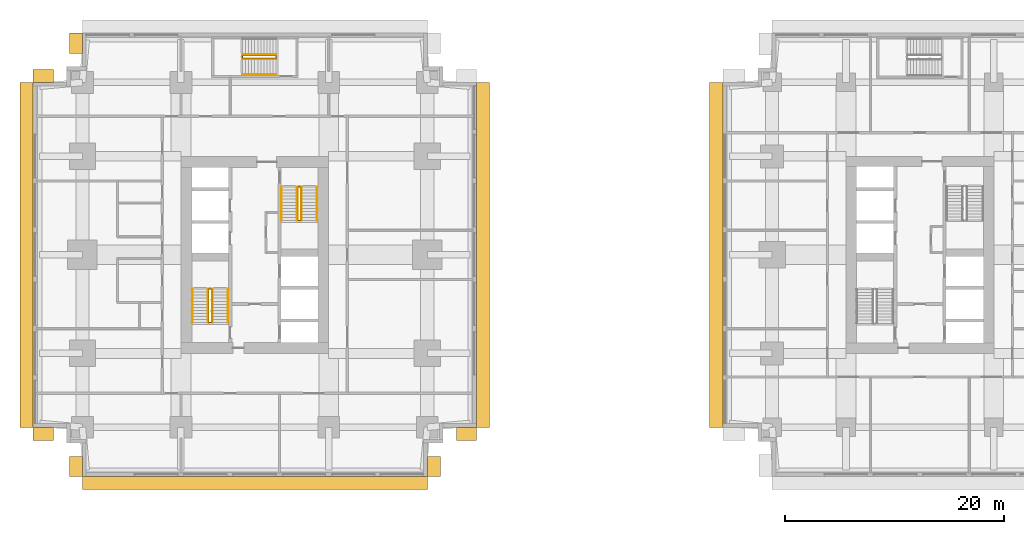
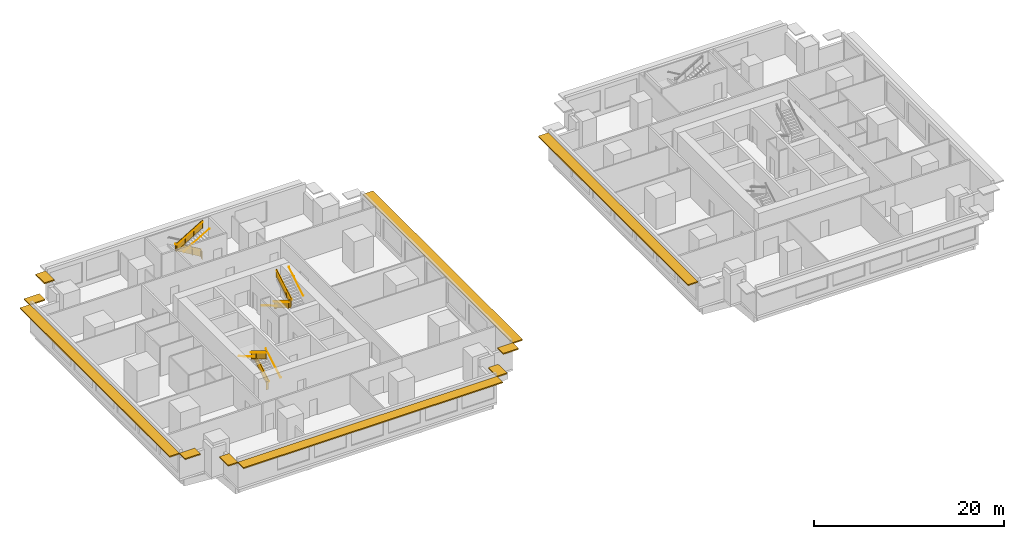
# One storey, part 9 of 11: 14 railings, 10 shading devices.
"""IFC4 building model written with IfcOpenShell, lengths in metres."""

from ifc_helpers import new_model, si_unit, direction, frame, origin, origin_2d, place, context, subcontext, project, spatial, polyline, rectangle, circle, outline, extrude, material, layer, layer_set, type_object, element, save


model = new_model("IFC4")

# Units and contexts
model_context = context("Model", 3, precision=1e-05, world=origin(), true_north=direction((0.0, 1.0)))
body_context = subcontext(model_context, "Body", "Model", "MODEL_VIEW")
ifc_project = project(units=[si_unit("LENGTHUNIT", "METRE"), si_unit("AREAUNIT", "SQUARE_METRE"), si_unit("VOLUMEUNIT", "CUBIC_METRE"), si_unit("PLANEANGLEUNIT", "RADIAN"), si_unit("MASSUNIT", "GRAM", prefix="KILO")], contexts=[model_context])

# Site, building, storey
site_placement = place(None, origin())
site = spatial("IfcSite", under=ifc_project, at=site_placement, CompositionType="ELEMENT")
building_placement = place(site_placement, origin())
building = spatial("IfcBuilding", under=site, at=building_placement, Name="Namib Vertical Campus", CompositionType="ELEMENT")
storey_placement = place(building_placement, frame((0.0, 0.0, 73.0)))
storey = spatial("IfcBuildingStorey", under=building, at=storey_placement, Name="L17", CompositionType="ELEMENT", Elevation=73.0)

# Railings
ifc_material_1 = material(Name="Steel handrail", Category="steel")
railing_type_1 = type_object("IfcRailingType", Name="Handrail 900", PredefinedType="HANDRAIL", material=ifc_material_1)
railing_1_placement = place(storey_placement, frame((17.800048828125, 14.050048828125, 0.166748046875)))
element("IfcRailing", 1, at=railing_1_placement, inside=storey, type_object=railing_type_1, Name="Handrail HR1 A-S1 L17 1", PredefinedType="HANDRAIL", context=body_context, shape_type="SweptSolid", body=[
    extrude(circle(Radius=0.02392578125, at=origin_2d()), frame((0.0, 0.0, 0.8759765625), z_axis=(0.0, 0.859290745958, 0.51148745235), x_axis=(-1.0, 0.0, 0.0)), (0.0, 0.0, 1.0), 3.584228515625),
    extrude(circle(Radius=0.008056640625, at=origin_2d()), frame((0.0, 0.0, 0.8759765625), z_axis=(1.0, 0.0, 0.0), x_axis=(0.0, 0.0, 1.0)), (0.0, 0.0, 1.0), 0.050048828125),
    extrude(circle(Radius=0.008056640625, at=origin_2d()), frame((0.0, 1.026611328125, 1.48681640625), z_axis=(1.0, 0.0, 0.0), x_axis=(0.0, 0.0, 1.0)), (0.0, 0.0, 1.0), 0.050048828125),
    extrude(circle(Radius=0.008056640625, at=origin_2d()), frame((0.0, 2.05322265625, 2.09814453125), z_axis=(1.0, 0.0, 0.0), x_axis=(0.0, 0.0, 1.0)), (0.0, 0.0, 1.0), 0.050048828125),
    extrude(circle(Radius=0.008056640625, at=origin_2d()), frame((0.0, 3.079833984375, 2.708984375), z_axis=(1.0, 0.0, 0.0), x_axis=(0.0, 0.0, 1.0)), (0.0, 0.0, 1.0), 0.050048828125),
])
railing_2_placement = place(storey_placement, frame((14.550048828125, 17.1298828125, 2.166748046875)))
element("IfcRailing", 2, at=railing_2_placement, inside=storey, type_object=railing_type_1, Name="Handrail HR1 A-S1 L17 2", PredefinedType="HANDRAIL", context=body_context, shape_type="SweptSolid", body=[
    extrude(circle(Radius=0.02392578125, at=origin_2d()), frame((0.0, 0.0, 0.8759765625), z_axis=(0.0, -0.859290745958, 0.51148745235), x_axis=(1.0, 0.0, 0.0)), (0.0, 0.0, 1.0), 3.584228515625),
    extrude(circle(Radius=0.008056640625, at=origin_2d()), frame((0.0, 0.0, 0.8759765625), z_axis=(-1.0, 0.0, 0.0), x_axis=(0.0, 0.0, 1.0)), (0.0, 0.0, 1.0), 0.050048828125),
    extrude(circle(Radius=0.008056640625, at=origin_2d()), frame((0.0, -1.026611328125, 1.48681640625), z_axis=(-1.0, 0.0, 0.0), x_axis=(0.0, 0.0, 1.0)), (0.0, 0.0, 1.0), 0.050048828125),
    extrude(circle(Radius=0.008056640625, at=origin_2d()), frame((0.0, -2.05322265625, 2.09814453125), z_axis=(-1.0, 0.0, 0.0), x_axis=(0.0, 0.0, 1.0)), (0.0, 0.0, 1.0), 0.050048828125),
    extrude(circle(Radius=0.008056640625, at=origin_2d()), frame((0.0, -3.079833984375, 2.708984375), z_axis=(-1.0, 0.0, 0.0), x_axis=(0.0, 0.0, 1.0)), (0.0, 0.0, 1.0), 0.050048828125),
])
railing_3_placement = place(storey_placement, frame((16.375, 14.050048828125, 0.166748046875)))
element("IfcRailing", 3, at=railing_3_placement, inside=storey, type_object=railing_type_1, Name="Handrail HR1 A-S1 L17 1 at the well", PredefinedType="HANDRAIL", context=body_context, shape_type="SweptSolid", body=[
    extrude(circle(Radius=0.02392578125, at=origin_2d()), frame((0.0, 0.0, 0.8759765625), z_axis=(0.0, 0.859290745958, 0.51148745235), x_axis=(-1.0, 0.0, 0.0)), (0.0, 0.0, 1.0), 3.584228515625),
    extrude(circle(Radius=0.008056640625, at=origin_2d()), frame((0.0, 0.0, 0.8759765625), z_axis=(-1.0, 0.0, 0.0), x_axis=(0.0, 0.0, 1.0)), (0.0, 0.0, 1.0), 0.0400390625),
    extrude(circle(Radius=0.008056640625, at=origin_2d()), frame((0.0, 1.026611328125, 1.48681640625), z_axis=(-1.0, 0.0, 0.0), x_axis=(0.0, 0.0, 1.0)), (0.0, 0.0, 1.0), 0.0400390625),
    extrude(circle(Radius=0.008056640625, at=origin_2d()), frame((0.0, 2.05322265625, 2.09814453125), z_axis=(-1.0, 0.0, 0.0), x_axis=(0.0, 0.0, 1.0)), (0.0, 0.0, 1.0), 0.0400390625),
    extrude(circle(Radius=0.008056640625, at=origin_2d()), frame((0.0, 3.079833984375, 2.708984375), z_axis=(-1.0, 0.0, 0.0), x_axis=(0.0, 0.0, 1.0)), (0.0, 0.0, 1.0), 0.0400390625),
])
railing_4_placement = place(storey_placement, frame((15.97509765625, 17.1298828125, 2.166748046875)))
element("IfcRailing", 4, at=railing_4_placement, inside=storey, type_object=railing_type_1, Name="Handrail HR1 A-S1 L17 2 at the well", PredefinedType="HANDRAIL", context=body_context, shape_type="SweptSolid", body=[
    extrude(circle(Radius=0.02392578125, at=origin_2d()), frame((0.0, 0.0, 0.8759765625), z_axis=(0.0, -0.859290745958, 0.51148745235), x_axis=(1.0, 0.0, 0.0)), (0.0, 0.0, 1.0), 3.584228515625),
    extrude(circle(Radius=0.008056640625, at=origin_2d()), frame((0.0, 0.0, 0.8759765625), z_axis=(1.0, 0.0, 0.0), x_axis=(0.0, 0.0, 1.0)), (0.0, 0.0, 1.0), 0.0400390625),
    extrude(circle(Radius=0.008056640625, at=origin_2d()), frame((0.0, -1.026611328125, 1.48681640625), z_axis=(1.0, 0.0, 0.0), x_axis=(0.0, 0.0, 1.0)), (0.0, 0.0, 1.0), 0.0400390625),
    extrude(circle(Radius=0.008056640625, at=origin_2d()), frame((0.0, -2.05322265625, 2.09814453125), z_axis=(1.0, 0.0, 0.0), x_axis=(0.0, 0.0, 1.0)), (0.0, 0.0, 1.0), 0.0400390625),
    extrude(circle(Radius=0.008056640625, at=origin_2d()), frame((0.0, -3.079833984375, 2.708984375), z_axis=(1.0, 0.0, 0.0), x_axis=(0.0, 0.0, 1.0)), (0.0, 0.0, 1.0), 0.0400390625),
])
railing_5_placement = place(storey_placement, frame((22.699951171875, 26.449951171875, 0.166748046875)))
element("IfcRailing", 5, at=railing_5_placement, inside=storey, type_object=railing_type_1, Name="Handrail HR1 A-S2 L17 1", PredefinedType="HANDRAIL", context=body_context, shape_type="SweptSolid", body=[
    extrude(circle(Radius=0.02392578125, at=origin_2d()), frame((0.0, 0.0, 0.8759765625), z_axis=(0.0, -0.859290745958, 0.51148745235), x_axis=(1.0, 0.0, 0.0)), (0.0, 0.0, 1.0), 3.584228515625),
    extrude(circle(Radius=0.008056640625, at=origin_2d()), frame((0.0, 0.0, 0.8759765625), z_axis=(-1.0, 0.0, 0.0), x_axis=(0.0, 0.0, 1.0)), (0.0, 0.0, 1.0), 0.050048828125),
    extrude(circle(Radius=0.008056640625, at=origin_2d()), frame((0.0, -1.026611328125, 1.48681640625), z_axis=(-1.0, 0.0, 0.0), x_axis=(0.0, 0.0, 1.0)), (0.0, 0.0, 1.0), 0.050048828125),
    extrude(circle(Radius=0.008056640625, at=origin_2d()), frame((0.0, -2.05322265625, 2.09814453125), z_axis=(-1.0, 0.0, 0.0), x_axis=(0.0, 0.0, 1.0)), (0.0, 0.0, 1.0), 0.050048828125),
    extrude(circle(Radius=0.008056640625, at=origin_2d()), frame((0.0, -3.079833984375, 2.708984375), z_axis=(-1.0, 0.0, 0.0), x_axis=(0.0, 0.0, 1.0)), (0.0, 0.0, 1.0), 0.050048828125),
])
railing_6_placement = place(storey_placement, frame((25.949951171875, 23.3701171875, 2.166748046875)))
element("IfcRailing", 6, at=railing_6_placement, inside=storey, type_object=railing_type_1, Name="Handrail HR1 A-S2 L17 2", PredefinedType="HANDRAIL", context=body_context, shape_type="SweptSolid", body=[
    extrude(circle(Radius=0.02392578125, at=origin_2d()), frame((0.0, 0.0, 0.8759765625), z_axis=(0.0, 0.859290745958, 0.51148745235), x_axis=(-1.0, 0.0, 0.0)), (0.0, 0.0, 1.0), 3.584228515625),
    extrude(circle(Radius=0.008056640625, at=origin_2d()), frame((0.0, 0.0, 0.8759765625), z_axis=(1.0, 0.0, 0.0), x_axis=(0.0, 0.0, 1.0)), (0.0, 0.0, 1.0), 0.050048828125),
    extrude(circle(Radius=0.008056640625, at=origin_2d()), frame((0.0, 1.026611328125, 1.48681640625), z_axis=(1.0, 0.0, 0.0), x_axis=(0.0, 0.0, 1.0)), (0.0, 0.0, 1.0), 0.050048828125),
    extrude(circle(Radius=0.008056640625, at=origin_2d()), frame((0.0, 2.05322265625, 2.09814453125), z_axis=(1.0, 0.0, 0.0), x_axis=(0.0, 0.0, 1.0)), (0.0, 0.0, 1.0), 0.050048828125),
    extrude(circle(Radius=0.008056640625, at=origin_2d()), frame((0.0, 3.079833984375, 2.708984375), z_axis=(1.0, 0.0, 0.0), x_axis=(0.0, 0.0, 1.0)), (0.0, 0.0, 1.0), 0.050048828125),
])
railing_7_placement = place(storey_placement, frame((24.125, 26.449951171875, 0.166748046875)))
element("IfcRailing", 7, at=railing_7_placement, inside=storey, type_object=railing_type_1, Name="Handrail HR1 A-S2 L17 1 at the well", PredefinedType="HANDRAIL", context=body_context, shape_type="SweptSolid", body=[
    extrude(circle(Radius=0.02392578125, at=origin_2d()), frame((0.0, 0.0, 0.8759765625), z_axis=(0.0, -0.859290745958, 0.51148745235), x_axis=(1.0, 0.0, 0.0)), (0.0, 0.0, 1.0), 3.584228515625),
    extrude(circle(Radius=0.008056640625, at=origin_2d()), frame((0.0, 0.0, 0.8759765625), z_axis=(1.0, 0.0, 0.0), x_axis=(0.0, 0.0, 1.0)), (0.0, 0.0, 1.0), 0.0400390625),
    extrude(circle(Radius=0.008056640625, at=origin_2d()), frame((0.0, -1.026611328125, 1.48681640625), z_axis=(1.0, 0.0, 0.0), x_axis=(0.0, 0.0, 1.0)), (0.0, 0.0, 1.0), 0.0400390625),
    extrude(circle(Radius=0.008056640625, at=origin_2d()), frame((0.0, -2.05322265625, 2.09814453125), z_axis=(1.0, 0.0, 0.0), x_axis=(0.0, 0.0, 1.0)), (0.0, 0.0, 1.0), 0.0400390625),
    extrude(circle(Radius=0.008056640625, at=origin_2d()), frame((0.0, -3.079833984375, 2.708984375), z_axis=(1.0, 0.0, 0.0), x_axis=(0.0, 0.0, 1.0)), (0.0, 0.0, 1.0), 0.0400390625),
])
railing_8_placement = place(storey_placement, frame((24.52490234375, 23.3701171875, 2.166748046875)))
element("IfcRailing", 8, at=railing_8_placement, inside=storey, type_object=railing_type_1, Name="Handrail HR1 A-S2 L17 2 at the well", PredefinedType="HANDRAIL", context=body_context, shape_type="SweptSolid", body=[
    extrude(circle(Radius=0.02392578125, at=origin_2d()), frame((0.0, 0.0, 0.8759765625), z_axis=(0.0, 0.859290745958, 0.51148745235), x_axis=(-1.0, 0.0, 0.0)), (0.0, 0.0, 1.0), 3.584228515625),
    extrude(circle(Radius=0.008056640625, at=origin_2d()), frame((0.0, 0.0, 0.8759765625), z_axis=(-1.0, 0.0, 0.0), x_axis=(0.0, 0.0, 1.0)), (0.0, 0.0, 1.0), 0.0400390625),
    extrude(circle(Radius=0.008056640625, at=origin_2d()), frame((0.0, 1.026611328125, 1.48681640625), z_axis=(-1.0, 0.0, 0.0), x_axis=(0.0, 0.0, 1.0)), (0.0, 0.0, 1.0), 0.0400390625),
    extrude(circle(Radius=0.008056640625, at=origin_2d()), frame((0.0, 2.05322265625, 2.09814453125), z_axis=(-1.0, 0.0, 0.0), x_axis=(0.0, 0.0, 1.0)), (0.0, 0.0, 1.0), 0.0400390625),
    extrude(circle(Radius=0.008056640625, at=origin_2d()), frame((0.0, 3.079833984375, 2.708984375), z_axis=(-1.0, 0.0, 0.0), x_axis=(0.0, 0.0, 1.0)), (0.0, 0.0, 1.0), 0.0400390625),
])
railing_9_placement = place(storey_placement, frame((19.1201171875, 36.699951171875, 2.166748046875)))
element("IfcRailing", 9, at=railing_9_placement, inside=storey, type_object=railing_type_1, Name="Handrail HR1 A-S3 L17 2", PredefinedType="HANDRAIL", context=body_context, shape_type="SweptSolid", body=[
    extrude(circle(Radius=0.02392578125, at=origin_2d()), frame((0.0, 0.0, 0.8759765625), z_axis=(0.859290745958, 0.0, 0.51148745235), x_axis=(0.0, 1.0, 0.0)), (0.0, 0.0, 1.0), 3.584228515625),
    extrude(circle(Radius=0.008056640625, at=origin_2d()), frame((0.0, 0.0, 0.8759765625), z_axis=(0.0, -1.0, 0.0), x_axis=(0.0, 0.0, 1.0)), (0.0, 0.0, 1.0), 0.050048828125),
    extrude(circle(Radius=0.008056640625, at=origin_2d()), frame((1.026611328125, 0.0, 1.48681640625), z_axis=(0.0, -1.0, 0.0), x_axis=(0.0, 0.0, 1.0)), (0.0, 0.0, 1.0), 0.050048828125),
    extrude(circle(Radius=0.008056640625, at=origin_2d()), frame((2.05322265625, 0.0, 2.09814453125), z_axis=(0.0, -1.0, 0.0), x_axis=(0.0, 0.0, 1.0)), (0.0, 0.0, 1.0), 0.050048828125),
    extrude(circle(Radius=0.008056640625, at=origin_2d()), frame((3.079833984375, 0.0, 2.708984375), z_axis=(0.0, -1.0, 0.0), x_axis=(0.0, 0.0, 1.0)), (0.0, 0.0, 1.0), 0.050048828125),
])
railing_10_placement = place(storey_placement, frame((22.199951171875, 38.52490234375, 0.166748046875)))
element("IfcRailing", 10, at=railing_10_placement, inside=storey, type_object=railing_type_1, Name="Handrail HR1 A-S3 L17 1 at the well", PredefinedType="HANDRAIL", context=body_context, shape_type="SweptSolid", body=[
    extrude(circle(Radius=0.02392578125, at=origin_2d()), frame((0.0, 0.0, 0.8759765625), z_axis=(-0.859290745958, 0.0, 0.51148745235), x_axis=(0.0, -1.0, 0.0)), (0.0, 0.0, 1.0), 3.584228515625),
    extrude(circle(Radius=0.008056640625, at=origin_2d()), frame((0.0, 0.0, 0.8759765625), z_axis=(0.0, -1.0, 0.0), x_axis=(0.0, 0.0, 1.0)), (0.0, 0.0, 1.0), 0.0400390625),
    extrude(circle(Radius=0.008056640625, at=origin_2d()), frame((-1.026611328125, 0.0, 1.48681640625), z_axis=(0.0, -1.0, 0.0), x_axis=(0.0, 0.0, 1.0)), (0.0, 0.0, 1.0), 0.0400390625),
    extrude(circle(Radius=0.008056640625, at=origin_2d()), frame((-2.05322265625, 0.0, 2.09814453125), z_axis=(0.0, -1.0, 0.0), x_axis=(0.0, 0.0, 1.0)), (0.0, 0.0, 1.0), 0.0400390625),
    extrude(circle(Radius=0.008056640625, at=origin_2d()), frame((-3.079833984375, 0.0, 2.708984375), z_axis=(0.0, -1.0, 0.0), x_axis=(0.0, 0.0, 1.0)), (0.0, 0.0, 1.0), 0.0400390625),
])
railing_11_placement = place(storey_placement, frame((19.1201171875, 38.125, 2.166748046875)))
element("IfcRailing", 11, at=railing_11_placement, inside=storey, type_object=railing_type_1, Name="Handrail HR1 A-S3 L17 2 at the well", PredefinedType="HANDRAIL", context=body_context, shape_type="SweptSolid", body=[
    extrude(circle(Radius=0.02392578125, at=origin_2d()), frame((0.0, 0.0, 0.8759765625), z_axis=(0.859290745958, 0.0, 0.51148745235), x_axis=(0.0, 1.0, 0.0)), (0.0, 0.0, 1.0), 3.584228515625),
    extrude(circle(Radius=0.008056640625, at=origin_2d()), frame((0.0, 0.0, 0.8759765625), z_axis=(0.0, 1.0, 0.0), x_axis=(0.0, 0.0, 1.0)), (0.0, 0.0, 1.0), 0.0400390625),
    extrude(circle(Radius=0.008056640625, at=origin_2d()), frame((1.026611328125, 0.0, 1.48681640625), z_axis=(0.0, 1.0, 0.0), x_axis=(0.0, 0.0, 1.0)), (0.0, 0.0, 1.0), 0.0400390625),
    extrude(circle(Radius=0.008056640625, at=origin_2d()), frame((2.05322265625, 0.0, 2.09814453125), z_axis=(0.0, 1.0, 0.0), x_axis=(0.0, 0.0, 1.0)), (0.0, 0.0, 1.0), 0.0400390625),
    extrude(circle(Radius=0.008056640625, at=origin_2d()), frame((3.079833984375, 0.0, 2.708984375), z_axis=(0.0, 1.0, 0.0), x_axis=(0.0, 0.0, 1.0)), (0.0, 0.0, 1.0), 0.0400390625),
])
ifc_material_2 = material(Name="Steel balustrade", Category="steel")
railing_type_2 = type_object("IfcRailingType", Name="Stair guard 1100", PredefinedType="GUARDRAIL", material=ifc_material_2)
railing_12_placement = place(storey_placement, frame((16.02490234375, 14.050048828125, 0.0)))
element("IfcRailing", 12, at=railing_12_placement, inside=storey, type_object=railing_type_2, Name="Stair guard GR1 A-S1 L17", PredefinedType="GUARDRAIL", context=body_context, shape_type="SweptSolid", body=[
    extrude(circle(Radius=0.02392578125, at=origin_2d()), frame((0.0, 0.0, 1.076171875), z_axis=(1.0, 0.0, 0.0), x_axis=(0.0, 1.0, 0.0)), (0.0, 0.0, 1.0), 0.300048828125),
    extrude(outline(polyline([(0.02099609375, 0.050048828125), (0.279052734375, 0.050048828125), (0.279052734375, 1.052001953125), (0.02099609375, 1.052001953125), (0.02099609375, 0.050048828125)])), frame((0.0, 0.010009765625, 0.0), z_axis=(0.0, -1.0, 0.0), x_axis=(1.0, 0.0, 0.0)), (0.0, 0.0, 1.0), 0.02001953125),
    extrude(circle(Radius=0.02392578125, at=origin_2d()), frame((0.300048828125, 0.0, 1.076171875), z_axis=(0.0, 0.0, 1.0), x_axis=(1.0, 0.0, 0.0)), (0.0, 0.0, 1.0), 0.166748046875),
    extrude(circle(Radius=0.02392578125, at=origin_2d()), frame((0.300048828125, 0.0, 1.24267578125), z_axis=(0.0, 0.859290745958, 0.51148745235), x_axis=(-1.0, 0.0, 0.0)), (0.0, 0.0, 1.0), 3.584228515625),
    extrude(outline(polyline([(0.02099609375, 0.0625), (3.058837890625, 1.870849609375), (3.058837890625, 2.872802734375), (0.02099609375, 1.064453125), (0.02099609375, 0.0625)])), frame((0.2900390625, 0.0, 0.166748046875), z_axis=(1.0, 0.0, 0.0), x_axis=(0.0, 1.0, 0.0)), (0.0, 0.0, 1.0), 0.02001953125),
    extrude(circle(Radius=0.02392578125, at=origin_2d()), frame((0.300048828125, 3.079833984375, 3.076171875), z_axis=(-1.0, 0.0, 0.0), x_axis=(0.0, -1.0, 0.0)), (0.0, 0.0, 1.0), 0.300048828125),
    extrude(outline(polyline([(0.02099609375, 0.050048828125), (0.279052734375, 0.050048828125), (0.279052734375, 1.052001953125), (0.02099609375, 1.052001953125), (0.02099609375, 0.050048828125)])), frame((0.300048828125, 3.06982421875, 2.0), z_axis=(0.0, 1.0, 0.0), x_axis=(-1.0, 0.0, 0.0)), (0.0, 0.0, 1.0), 0.02001953125),
    extrude(circle(Radius=0.02392578125, at=origin_2d()), frame((0.0, 3.079833984375, 3.076171875), z_axis=(0.0, 0.0, 1.0), x_axis=(1.0, 0.0, 0.0)), (0.0, 0.0, 1.0), 0.166748046875),
    extrude(circle(Radius=0.02392578125, at=origin_2d()), frame((0.0, 3.079833984375, 3.24267578125), z_axis=(0.0, -0.859290745958, 0.51148745235), x_axis=(1.0, 0.0, 0.0)), (0.0, 0.0, 1.0), 3.584228515625),
    extrude(outline(polyline([(0.02099609375, 0.0625), (3.058837890625, 1.870849609375), (3.058837890625, 2.872802734375), (0.02099609375, 1.064453125), (0.02099609375, 0.0625)])), frame((0.010009765625, 3.079833984375, 2.166748046875), z_axis=(-1.0, 0.0, 0.0), x_axis=(0.0, -1.0, 0.0)), (0.0, 0.0, 1.0), 0.02001953125),
    extrude(circle(Radius=0.02392578125, at=origin_2d()), frame((0.0, 0.0, 5.076171875), z_axis=(0.0, -1.0, 0.0), x_axis=(1.0, 0.0, 0.0)), (0.0, 0.0, 1.0), 0.050048828125),
    extrude(outline(polyline([(0.02099609375, 0.050048828125), (0.029052734375, 0.050048828125), (0.029052734375, 1.052001953125), (0.02099609375, 1.052001953125), (0.02099609375, 0.050048828125)])), frame((0.010009765625, 0.0, 4.0), z_axis=(-1.0, 0.0, 0.0), x_axis=(0.0, -1.0, 0.0)), (0.0, 0.0, 1.0), 0.02001953125),
    extrude(circle(Radius=0.02099609375, at=origin_2d()), origin(), (0.0, 0.0, 1.0), 1.052001953125),
    extrude(circle(Radius=0.02099609375, at=origin_2d()), frame((0.300048828125, 0.0, 0.166748046875)), (0.0, 0.0, 1.0), 1.052001953125),
    extrude(circle(Radius=0.02099609375, at=origin_2d()), frame((0.300048828125, 1.026611328125, 0.666748046875)), (0.0, 0.0, 1.0), 1.1630859375),
    extrude(circle(Radius=0.02099609375, at=origin_2d()), frame((0.300048828125, 2.05322265625, 1.33349609375)), (0.0, 0.0, 1.0), 1.107421875),
    extrude(circle(Radius=0.02099609375, at=origin_2d()), frame((0.300048828125, 3.079833984375, 2.0)), (0.0, 0.0, 1.0), 1.052001953125),
    extrude(circle(Radius=0.02099609375, at=origin_2d()), frame((0.0, 3.079833984375, 2.166748046875)), (0.0, 0.0, 1.0), 1.052001953125),
    extrude(circle(Radius=0.02099609375, at=origin_2d()), frame((0.0, 2.05322265625, 2.666748046875)), (0.0, 0.0, 1.0), 1.1630859375),
    extrude(circle(Radius=0.02099609375, at=origin_2d()), frame((0.0, 1.026611328125, 3.33349609375)), (0.0, 0.0, 1.0), 1.107421875),
    extrude(circle(Radius=0.02099609375, at=origin_2d()), frame((0.0, 0.0, 4.0)), (0.0, 0.0, 1.0), 1.052001953125),
    extrude(circle(Radius=0.02099609375, at=origin_2d()), frame((0.0, -0.050048828125, 4.0)), (0.0, 0.0, 1.0), 1.052001953125),
])
railing_13_placement = place(storey_placement, frame((24.47509765625, 26.449951171875, 0.0)))
element("IfcRailing", 13, at=railing_13_placement, inside=storey, type_object=railing_type_2, Name="Stair guard GR1 A-S2 L17", PredefinedType="GUARDRAIL", context=body_context, shape_type="SweptSolid", body=[
    extrude(circle(Radius=0.02392578125, at=origin_2d()), frame((0.0, 0.0, 1.076171875), z_axis=(-1.0, 0.0, 0.0), x_axis=(0.0, -1.0, 0.0)), (0.0, 0.0, 1.0), 0.300048828125),
    extrude(outline(polyline([(0.02099609375, 0.050048828125), (0.279052734375, 0.050048828125), (0.279052734375, 1.052001953125), (0.02099609375, 1.052001953125), (0.02099609375, 0.050048828125)])), frame((0.0, -0.010009765625, 0.0), z_axis=(0.0, 1.0, 0.0), x_axis=(-1.0, 0.0, 0.0)), (0.0, 0.0, 1.0), 0.02001953125),
    extrude(circle(Radius=0.02392578125, at=origin_2d()), frame((-0.300048828125, 0.0, 1.076171875), z_axis=(0.0, 0.0, 1.0), x_axis=(1.0, 0.0, 0.0)), (0.0, 0.0, 1.0), 0.166748046875),
    extrude(circle(Radius=0.02392578125, at=origin_2d()), frame((-0.300048828125, 0.0, 1.24267578125), z_axis=(0.0, -0.859290745958, 0.51148745235), x_axis=(1.0, 0.0, 0.0)), (0.0, 0.0, 1.0), 3.584228515625),
    extrude(outline(polyline([(0.02099609375, 0.0625), (3.058837890625, 1.870849609375), (3.058837890625, 2.872802734375), (0.02099609375, 1.064453125), (0.02099609375, 0.0625)])), frame((-0.2900390625, 0.0, 0.166748046875), z_axis=(-1.0, 0.0, 0.0), x_axis=(0.0, -1.0, 0.0)), (0.0, 0.0, 1.0), 0.02001953125),
    extrude(circle(Radius=0.02392578125, at=origin_2d()), frame((-0.300048828125, -3.079833984375, 3.076171875), z_axis=(1.0, 0.0, 0.0), x_axis=(0.0, 1.0, 0.0)), (0.0, 0.0, 1.0), 0.300048828125),
    extrude(outline(polyline([(0.02099609375, 0.050048828125), (0.279052734375, 0.050048828125), (0.279052734375, 1.052001953125), (0.02099609375, 1.052001953125), (0.02099609375, 0.050048828125)])), frame((-0.300048828125, -3.06982421875, 2.0), z_axis=(0.0, -1.0, 0.0), x_axis=(1.0, 0.0, 0.0)), (0.0, 0.0, 1.0), 0.02001953125),
    extrude(circle(Radius=0.02392578125, at=origin_2d()), frame((0.0, -3.079833984375, 3.076171875), z_axis=(0.0, 0.0, 1.0), x_axis=(1.0, 0.0, 0.0)), (0.0, 0.0, 1.0), 0.166748046875),
    extrude(circle(Radius=0.02392578125, at=origin_2d()), frame((0.0, -3.079833984375, 3.24267578125), z_axis=(0.0, 0.859290745958, 0.51148745235), x_axis=(-1.0, 0.0, 0.0)), (0.0, 0.0, 1.0), 3.584228515625),
    extrude(outline(polyline([(0.02099609375, 0.0625), (3.058837890625, 1.870849609375), (3.058837890625, 2.872802734375), (0.02099609375, 1.064453125), (0.02099609375, 0.0625)])), frame((-0.010009765625, -3.079833984375, 2.166748046875), z_axis=(1.0, 0.0, 0.0), x_axis=(0.0, 1.0, 0.0)), (0.0, 0.0, 1.0), 0.02001953125),
    extrude(circle(Radius=0.02392578125, at=origin_2d()), frame((0.0, 0.0, 5.076171875), z_axis=(0.0, 1.0, 0.0), x_axis=(-1.0, 0.0, 0.0)), (0.0, 0.0, 1.0), 0.050048828125),
    extrude(outline(polyline([(0.02099609375, 0.050048828125), (0.029052734375, 0.050048828125), (0.029052734375, 1.052001953125), (0.02099609375, 1.052001953125), (0.02099609375, 0.050048828125)])), frame((-0.010009765625, 0.0, 4.0), z_axis=(1.0, 0.0, 0.0), x_axis=(0.0, 1.0, 0.0)), (0.0, 0.0, 1.0), 0.02001953125),
    extrude(circle(Radius=0.02099609375, at=origin_2d()), origin(), (0.0, 0.0, 1.0), 1.052001953125),
    extrude(circle(Radius=0.02099609375, at=origin_2d()), frame((-0.300048828125, 0.0, 0.166748046875)), (0.0, 0.0, 1.0), 1.052001953125),
    extrude(circle(Radius=0.02099609375, at=origin_2d()), frame((-0.300048828125, -1.026611328125, 0.666748046875)), (0.0, 0.0, 1.0), 1.1630859375),
    extrude(circle(Radius=0.02099609375, at=origin_2d()), frame((-0.300048828125, -2.05322265625, 1.33349609375)), (0.0, 0.0, 1.0), 1.107421875),
    extrude(circle(Radius=0.02099609375, at=origin_2d()), frame((-0.300048828125, -3.079833984375, 2.0)), (0.0, 0.0, 1.0), 1.052001953125),
    extrude(circle(Radius=0.02099609375, at=origin_2d()), frame((0.0, -3.079833984375, 2.166748046875)), (0.0, 0.0, 1.0), 1.052001953125),
    extrude(circle(Radius=0.02099609375, at=origin_2d()), frame((0.0, -2.05322265625, 2.666748046875)), (0.0, 0.0, 1.0), 1.1630859375),
    extrude(circle(Radius=0.02099609375, at=origin_2d()), frame((0.0, -1.026611328125, 3.33349609375)), (0.0, 0.0, 1.0), 1.107421875),
    extrude(circle(Radius=0.02099609375, at=origin_2d()), frame((0.0, 0.0, 4.0)), (0.0, 0.0, 1.0), 1.052001953125),
    extrude(circle(Radius=0.02099609375, at=origin_2d()), frame((0.0, 0.050048828125, 4.0)), (0.0, 0.0, 1.0), 1.052001953125),
])
railing_14_placement = place(storey_placement, frame((22.199951171875, 38.175048828125, 0.0)))
element("IfcRailing", 14, at=railing_14_placement, inside=storey, type_object=railing_type_2, Name="Stair guard GR1 A-S3 L17", PredefinedType="GUARDRAIL", context=body_context, shape_type="SweptSolid", body=[
    extrude(circle(Radius=0.02392578125, at=origin_2d()), frame((0.0, 0.0, 1.076171875), z_axis=(0.0, 1.0, 0.0), x_axis=(-1.0, 0.0, 0.0)), (0.0, 0.0, 1.0), 0.300048828125),
    extrude(outline(polyline([(0.02099609375, 0.050048828125), (0.279052734375, 0.050048828125), (0.279052734375, 1.052001953125), (0.02099609375, 1.052001953125), (0.02099609375, 0.050048828125)])), frame((-0.010009765625, 0.0, 0.0), z_axis=(1.0, 0.0, 0.0), x_axis=(0.0, 1.0, 0.0)), (0.0, 0.0, 1.0), 0.02001953125),
    extrude(circle(Radius=0.02392578125, at=origin_2d()), frame((0.0, 0.300048828125, 1.076171875), z_axis=(0.0, 0.0, 1.0), x_axis=(1.0, 0.0, 0.0)), (0.0, 0.0, 1.0), 0.166748046875),
    extrude(circle(Radius=0.02392578125, at=origin_2d()), frame((0.0, 0.300048828125, 1.24267578125), z_axis=(-0.859290745958, 0.0, 0.51148745235), x_axis=(0.0, -1.0, 0.0)), (0.0, 0.0, 1.0), 3.584228515625),
    extrude(outline(polyline([(0.02099609375, 0.0625), (3.058837890625, 1.870849609375), (3.058837890625, 2.872802734375), (0.02099609375, 1.064453125), (0.02099609375, 0.0625)])), frame((0.0, 0.2900390625, 0.166748046875), z_axis=(0.0, 1.0, 0.0), x_axis=(-1.0, 0.0, 0.0)), (0.0, 0.0, 1.0), 0.02001953125),
    extrude(circle(Radius=0.02392578125, at=origin_2d()), frame((-3.079833984375, 0.300048828125, 3.076171875), z_axis=(0.0, -1.0, 0.0), x_axis=(1.0, 0.0, 0.0)), (0.0, 0.0, 1.0), 0.300048828125),
    extrude(outline(polyline([(0.02099609375, 0.050048828125), (0.279052734375, 0.050048828125), (0.279052734375, 1.052001953125), (0.02099609375, 1.052001953125), (0.02099609375, 0.050048828125)])), frame((-3.06982421875, 0.300048828125, 2.0), z_axis=(-1.0, 0.0, 0.0), x_axis=(0.0, -1.0, 0.0)), (0.0, 0.0, 1.0), 0.02001953125),
    extrude(circle(Radius=0.02392578125, at=origin_2d()), frame((-3.079833984375, 0.0, 3.076171875), z_axis=(0.0, 0.0, 1.0), x_axis=(1.0, 0.0, 0.0)), (0.0, 0.0, 1.0), 0.166748046875),
    extrude(circle(Radius=0.02392578125, at=origin_2d()), frame((-3.079833984375, 0.0, 3.24267578125), z_axis=(0.859290745958, 0.0, 0.51148745235), x_axis=(0.0, 1.0, 0.0)), (0.0, 0.0, 1.0), 3.584228515625),
    extrude(outline(polyline([(0.02099609375, 0.0625), (3.058837890625, 1.870849609375), (3.058837890625, 2.872802734375), (0.02099609375, 1.064453125), (0.02099609375, 0.0625)])), frame((-3.079833984375, 0.010009765625, 2.166748046875), z_axis=(0.0, -1.0, 0.0), x_axis=(1.0, 0.0, 0.0)), (0.0, 0.0, 1.0), 0.02001953125),
    extrude(circle(Radius=0.02392578125, at=origin_2d()), frame((0.0, 0.0, 5.076171875), z_axis=(1.0, 0.0, 0.0), x_axis=(0.0, 1.0, 0.0)), (0.0, 0.0, 1.0), 0.050048828125),
    extrude(outline(polyline([(0.02099609375, 0.050048828125), (0.029052734375, 0.050048828125), (0.029052734375, 1.052001953125), (0.02099609375, 1.052001953125), (0.02099609375, 0.050048828125)])), frame((0.0, 0.010009765625, 4.0), z_axis=(0.0, -1.0, 0.0), x_axis=(1.0, 0.0, 0.0)), (0.0, 0.0, 1.0), 0.02001953125),
    extrude(circle(Radius=0.02099609375, at=origin_2d()), origin(), (0.0, 0.0, 1.0), 1.052001953125),
    extrude(circle(Radius=0.02099609375, at=origin_2d()), frame((0.0, 0.300048828125, 0.166748046875)), (0.0, 0.0, 1.0), 1.052001953125),
    extrude(circle(Radius=0.02099609375, at=origin_2d()), frame((-1.026611328125, 0.300048828125, 0.666748046875)), (0.0, 0.0, 1.0), 1.1630859375),
    extrude(circle(Radius=0.02099609375, at=origin_2d()), frame((-2.05322265625, 0.300048828125, 1.33349609375)), (0.0, 0.0, 1.0), 1.107421875),
    extrude(circle(Radius=0.02099609375, at=origin_2d()), frame((-3.079833984375, 0.300048828125, 2.0)), (0.0, 0.0, 1.0), 1.052001953125),
    extrude(circle(Radius=0.02099609375, at=origin_2d()), frame((-3.079833984375, 0.0, 2.166748046875)), (0.0, 0.0, 1.0), 1.052001953125),
    extrude(circle(Radius=0.02099609375, at=origin_2d()), frame((-2.05322265625, 0.0, 2.666748046875)), (0.0, 0.0, 1.0), 1.1630859375),
    extrude(circle(Radius=0.02099609375, at=origin_2d()), frame((-1.026611328125, 0.0, 3.33349609375)), (0.0, 0.0, 1.0), 1.107421875),
    extrude(circle(Radius=0.02099609375, at=origin_2d()), frame((0.0, 0.0, 4.0)), (0.0, 0.0, 1.0), 1.052001953125),
    extrude(circle(Radius=0.02099609375, at=origin_2d()), frame((0.050048828125, 0.0, 4.0)), (0.0, 0.0, 1.0), 1.052001953125),
])

# Shading devices
ifc_material_3 = material(Name="Concrete C40/50 precast", Category="concrete")
ifc_layer = layer(ifc_material_3, 0.14990234375)
ifc_layer_set = layer_set([ifc_layer], Name="Concrete C40/50 precast")
shading_device_type = type_object("IfcShadingDeviceType", Name="Sunshade hood 1200", PredefinedType="SHUTTER", material=ifc_layer_set)
shading_device_1_placement = place(storey_placement, frame((20.25, -0.60009765625, 3.199951171875), z_axis=(0.0, 0.0, 1.0), x_axis=(1.0, 0.0, 0.0)))
element("IfcShadingDevice", 15, at=shading_device_1_placement, inside=storey, type_object=shading_device_type, Name="Sunshade SH2 L17 1", PredefinedType="SHUTTER", context=body_context, shape_type="SweptSolid", body=[
    extrude(rectangle(XDim=31.5, YDim=1.199951171875, at=origin_2d()), origin(), (0.0, 0.0, 1.0), 0.14990234375),
])
for number, where, z_axis, x_axis, name in (
    (16, (36.60009765625, 0.925048828125, 3.199951171875), (0.0, 0.0, 1.0), (0.0, 1.0, 0.0), "Sunshade SH2 L17 2"),
    (17, (39.574951171875, 3.89990234375, 3.199951171875), (0.0, 0.0, 1.0), (1.0, 0.0, 0.0), "Sunshade SH2 L17 5"),
):
    element("IfcShadingDevice", number, at=place(storey_placement, frame(where, z_axis=z_axis, x_axis=x_axis)), inside=storey, type_object=shading_device_type, Name=name, PredefinedType="SHUTTER", context=body_context, shape_type="SweptSolid", body=[
        extrude(rectangle(XDim=1.85009765625, YDim=1.199951171875, at=origin_2d()), origin(), (0.0, 0.0, 1.0), 0.14990234375),
    ])
shading_device_2_placement = place(storey_placement, frame((41.10009765625, 20.25, 3.199951171875), z_axis=(0.0, 0.0, 1.0), x_axis=(0.0, 1.0, 0.0)))
element("IfcShadingDevice", 18, at=shading_device_2_placement, inside=storey, type_object=shading_device_type, Name="Sunshade SH2 L17 6", PredefinedType="SHUTTER", context=body_context, shape_type="SweptSolid", body=[
    extrude(rectangle(XDim=31.5, YDim=1.199951171875, at=origin_2d()), origin(), (0.0, 0.0, 1.0), 0.14990234375),
])
for number, where, z_axis, x_axis, name in (
    (19, (3.89990234375, 39.574951171875, 3.199951171875), (0.0, 0.0, 1.0), (0.0, -1.0, 0.0), "Sunshade SH2 L17 12"),
    (20, (0.925048828125, 36.60009765625, 3.199951171875), (0.0, 0.0, 1.0), (-1.0, 0.0, 0.0), "Sunshade SH2 L17 15"),
):
    element("IfcShadingDevice", number, at=place(storey_placement, frame(where, z_axis=z_axis, x_axis=x_axis)), inside=storey, type_object=shading_device_type, Name=name, PredefinedType="SHUTTER", context=body_context, shape_type="SweptSolid", body=[
        extrude(rectangle(XDim=1.85009765625, YDim=1.199951171875, at=origin_2d()), origin(), (0.0, 0.0, 1.0), 0.14990234375),
    ])
shading_device_3_placement = place(storey_placement, frame((-0.60009765625, 20.25, 3.199951171875), z_axis=(0.0, 0.0, 1.0), x_axis=(0.0, -1.0, 0.0)))
element("IfcShadingDevice", 21, at=shading_device_3_placement, inside=storey, type_object=shading_device_type, Name="Sunshade SH2 L17 16", PredefinedType="SHUTTER", context=body_context, shape_type="SweptSolid", body=[
    extrude(rectangle(XDim=31.5, YDim=1.199951171875, at=origin_2d()), origin(), (0.0, 0.0, 1.0), 0.14990234375),
])
for number, where, z_axis, x_axis, name in (
    (22, (0.925048828125, 3.89990234375, 3.199951171875), (0.0, 0.0, 1.0), (1.0, 0.0, 0.0), "Sunshade SH2 L17 17"),
    (23, (3.89990234375, 0.925048828125, 3.199951171875), (0.0, 0.0, 1.0), (0.0, -1.0, 0.0), "Sunshade SH2 L17 20"),
):
    element("IfcShadingDevice", number, at=place(storey_placement, frame(where, z_axis=z_axis, x_axis=x_axis)), inside=storey, type_object=shading_device_type, Name=name, PredefinedType="SHUTTER", context=body_context, shape_type="SweptSolid", body=[
        extrude(rectangle(XDim=1.85009765625, YDim=1.199951171875, at=origin_2d()), origin(), (0.0, 0.0, 1.0), 0.14990234375),
    ])
shading_device_4_placement = place(storey_placement, frame((62.39990234375, 20.25, 3.199951171875), z_axis=(0.0, 0.0, 1.0), x_axis=(0.0, -1.0, 0.0)))
element("IfcShadingDevice", 24, at=shading_device_4_placement, inside=storey, type_object=shading_device_type, Name="Sunshade SH2 L17 16", PredefinedType="SHUTTER", context=body_context, shape_type="SweptSolid", body=[
    extrude(rectangle(XDim=31.5, YDim=1.199951171875, at=origin_2d()), origin(), (0.0, 0.0, 1.0), 0.14990234375),
])

save(model, "model.ifc")
